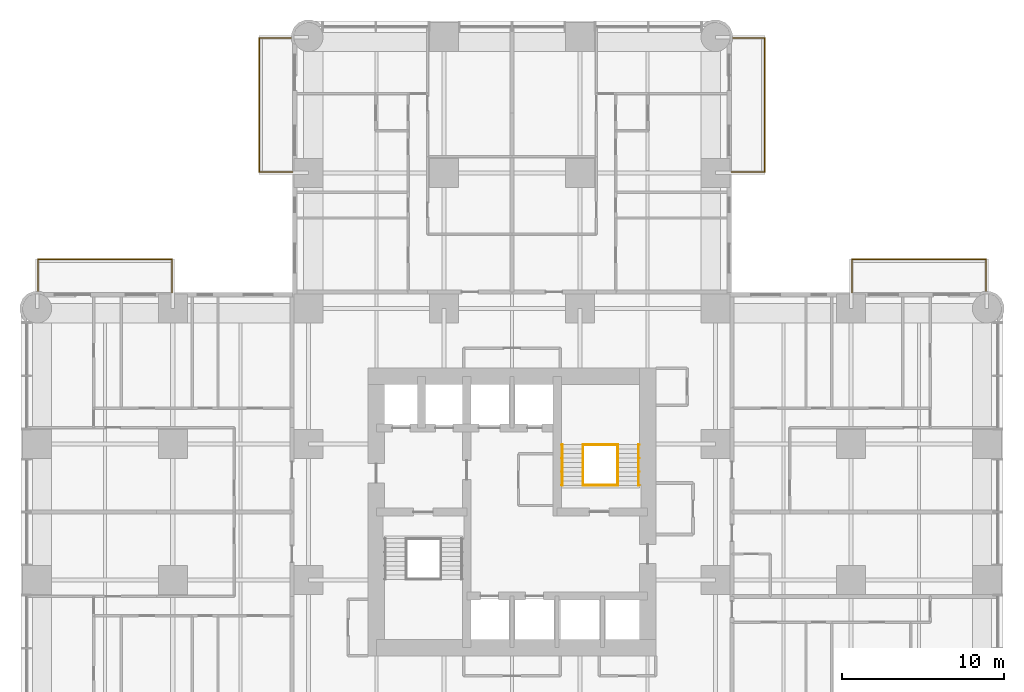
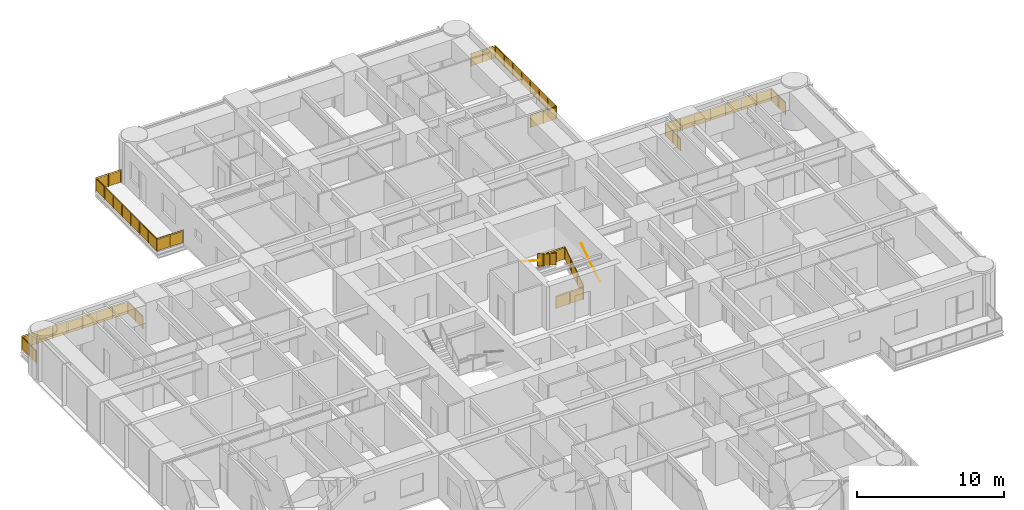
# One storey, part 17 of 17: 10 railings.
"""IFC4 building model written with IfcOpenShell, lengths in metres."""

from ifc_helpers import new_model, si_unit, direction, frame, origin, origin_2d, place, context, subcontext, project, spatial, polyline, circle, outline, extrude, material, constituent, constituent_set, type_object, element, save


model = new_model("IFC4")

# Units and contexts
model_context = context("Model", 3, precision=1e-05, world=origin(), true_north=direction((0.0, 1.0)))
body_context = subcontext(model_context, "Body", "Model", "MODEL_VIEW")
ifc_project = project(units=[si_unit("LENGTHUNIT", "METRE"), si_unit("AREAUNIT", "SQUARE_METRE"), si_unit("VOLUMEUNIT", "CUBIC_METRE"), si_unit("PLANEANGLEUNIT", "RADIAN"), si_unit("MASSUNIT", "GRAM", prefix="KILO")], contexts=[model_context])

# Site, building, storey
site_placement = place(None, origin())
site = spatial("IfcSite", under=ifc_project, at=site_placement, CompositionType="ELEMENT")
building_placement = place(site_placement, origin())
building = spatial("IfcBuilding", under=site, at=building_placement, Name="Torre Alcanfor", CompositionType="ELEMENT")
storey_placement = place(building_placement, frame((0.0, 0.0, 56.10009765625)))
storey = spatial("IfcBuildingStorey", under=building, at=storey_placement, Name="L13", CompositionType="ELEMENT", Elevation=56.10009765625)

# Railings
ifc_material_1 = material(Name="Laminated safety glass", Category="glass")
ifc_constituent_1 = constituent(ifc_material_1, Name="Infill")
ifc_material_2 = material(Name="Stainless steel ASTM A554 Grade MT 316L tube", Category="steel")
ifc_constituent_2 = constituent(ifc_material_2, Name="Posts and rail")
ifc_constituent_set = constituent_set(constituents=[ifc_constituent_1, ifc_constituent_2], Name="Balcony guard glass 1100")
railing_type_1 = type_object("IfcRailingType", Name="Balcony guard glass 1100", PredefinedType="BALUSTRADE", material=ifc_constituent_set)
railing_1_placement = place(storey_placement, frame((15.800048828125, 50.449951171875, 0.0)))
element("IfcRailing", 1, at=railing_1_placement, inside=storey, type_object=railing_type_1, Name="Balcony guard L13-N1", PredefinedType="BALUSTRADE", context=body_context, shape_type="SweptSolid", body=[
    extrude(circle(Radius=0.02392578125, at=origin_2d()), frame((0.0, 0.0, 1.076171875), z_axis=(-1.0, 0.0, 0.0), x_axis=(0.0, -1.0, 0.0)), (0.0, 0.0, 1.0), 2.050048828125),
    extrude(circle(Radius=0.02392578125, at=origin_2d()), frame((-2.050048828125, 0.0, 1.076171875), z_axis=(0.0, 1.0, 0.0), x_axis=(-1.0, 0.0, 0.0)), (0.0, 0.0, 1.0), 8.300048828125),
    extrude(circle(Radius=0.02392578125, at=origin_2d()), frame((-2.050048828125, 8.300048828125, 1.076171875), z_axis=(1.0, 0.0, 0.0), x_axis=(0.0, 1.0, 0.0)), (0.0, 0.0, 1.0), 1.968994140625),
    extrude(circle(Radius=0.02099609375, at=origin_2d()), origin(), (0.0, 0.0, 1.0), 1.052001953125),
    extrude(circle(Radius=0.02099609375, at=origin_2d()), frame((-1.02490234375, 0.0, 0.0)), (0.0, 0.0, 1.0), 1.052001953125),
    extrude(circle(Radius=0.02099609375, at=origin_2d()), frame((-2.050048828125, 0.0, 0.0)), (0.0, 0.0, 1.0), 1.052001953125),
    extrude(circle(Radius=0.02099609375, at=origin_2d()), frame((-2.050048828125, 1.185791015625, 0.0)), (0.0, 0.0, 1.0), 1.052001953125),
    extrude(circle(Radius=0.02099609375, at=origin_2d()), frame((-2.050048828125, 2.371337890625, 0.0)), (0.0, 0.0, 1.0), 1.052001953125),
    extrude(circle(Radius=0.02099609375, at=origin_2d()), frame((-2.050048828125, 3.55712890625, 0.0)), (0.0, 0.0, 1.0), 1.052001953125),
    extrude(circle(Radius=0.02099609375, at=origin_2d()), frame((-2.050048828125, 4.742919921875, 0.0)), (0.0, 0.0, 1.0), 1.052001953125),
    extrude(circle(Radius=0.02099609375, at=origin_2d()), frame((-2.050048828125, 5.9287109375, 0.0)), (0.0, 0.0, 1.0), 1.052001953125),
    extrude(circle(Radius=0.02099609375, at=origin_2d()), frame((-2.050048828125, 7.1142578125, 0.0)), (0.0, 0.0, 1.0), 1.052001953125),
    extrude(circle(Radius=0.02099609375, at=origin_2d()), frame((-2.050048828125, 8.300048828125, 0.0)), (0.0, 0.0, 1.0), 1.052001953125),
    extrude(circle(Radius=0.02099609375, at=origin_2d()), frame((-1.0654296875, 8.300048828125, 0.0)), (0.0, 0.0, 1.0), 1.052001953125),
    extrude(circle(Radius=0.02099609375, at=origin_2d()), frame((-0.0810546875, 8.300048828125, 0.0)), (0.0, 0.0, 1.0), 1.052001953125),
    extrude(outline(polyline([(0.041015625, 0.050048828125), (0.984130859375, 0.050048828125), (0.984130859375, 1.001953125), (0.041015625, 1.001953125), (0.041015625, 0.050048828125)])), frame((0.0, -0.005859375, 0.0), z_axis=(0.0, 1.0, 0.0), x_axis=(-1.0, 0.0, 0.0)), (0.0, 0.0, 1.0), 0.011962890625),
    extrude(outline(polyline([(1.06591796875, 0.050048828125), (2.009033203125, 0.050048828125), (2.009033203125, 1.001953125), (1.06591796875, 1.001953125), (1.06591796875, 0.050048828125)])), frame((0.0, -0.005859375, 0.0), z_axis=(0.0, 1.0, 0.0), x_axis=(-1.0, 0.0, 0.0)), (0.0, 0.0, 1.0), 0.011962890625),
    extrude(outline(polyline([(0.041015625, 0.050048828125), (1.144775390625, 0.050048828125), (1.144775390625, 1.001953125), (0.041015625, 1.001953125), (0.041015625, 0.050048828125)])), frame((-2.05615234375, 0.0, 0.0), z_axis=(1.0, 0.0, 0.0), x_axis=(0.0, 1.0, 0.0)), (0.0, 0.0, 1.0), 0.011962890625),
    extrude(outline(polyline([(1.226806640625, 0.050048828125), (2.330322265625, 0.050048828125), (2.330322265625, 1.001953125), (1.226806640625, 1.001953125), (1.226806640625, 0.050048828125)])), frame((-2.05615234375, 0.0, 0.0), z_axis=(1.0, 0.0, 0.0), x_axis=(0.0, 1.0, 0.0)), (0.0, 0.0, 1.0), 0.011962890625),
    extrude(outline(polyline([(2.412353515625, 0.050048828125), (3.51611328125, 0.050048828125), (3.51611328125, 1.001953125), (2.412353515625, 1.001953125), (2.412353515625, 0.050048828125)])), frame((-2.05615234375, 0.0, 0.0), z_axis=(1.0, 0.0, 0.0), x_axis=(0.0, 1.0, 0.0)), (0.0, 0.0, 1.0), 0.011962890625),
    extrude(outline(polyline([(3.59814453125, 0.050048828125), (4.701904296875, 0.050048828125), (4.701904296875, 1.001953125), (3.59814453125, 1.001953125), (3.59814453125, 0.050048828125)])), frame((-2.05615234375, 0.0, 0.0), z_axis=(1.0, 0.0, 0.0), x_axis=(0.0, 1.0, 0.0)), (0.0, 0.0, 1.0), 0.011962890625),
    extrude(outline(polyline([(4.783935546875, 0.050048828125), (5.8876953125, 0.050048828125), (5.8876953125, 1.001953125), (4.783935546875, 1.001953125), (4.783935546875, 0.050048828125)])), frame((-2.05615234375, 0.0, 0.0), z_axis=(1.0, 0.0, 0.0), x_axis=(0.0, 1.0, 0.0)), (0.0, 0.0, 1.0), 0.011962890625),
    extrude(outline(polyline([(5.9697265625, 0.050048828125), (7.0732421875, 0.050048828125), (7.0732421875, 1.001953125), (5.9697265625, 1.001953125), (5.9697265625, 0.050048828125)])), frame((-2.05615234375, 0.0, 0.0), z_axis=(1.0, 0.0, 0.0), x_axis=(0.0, 1.0, 0.0)), (0.0, 0.0, 1.0), 0.011962890625),
    extrude(outline(polyline([(7.1552734375, 0.050048828125), (8.259033203125, 0.050048828125), (8.259033203125, 1.001953125), (7.1552734375, 1.001953125), (7.1552734375, 0.050048828125)])), frame((-2.05615234375, 0.0, 0.0), z_axis=(1.0, 0.0, 0.0), x_axis=(0.0, 1.0, 0.0)), (0.0, 0.0, 1.0), 0.011962890625),
    extrude(outline(polyline([(0.041015625, 0.050048828125), (0.943603515625, 0.050048828125), (0.943603515625, 1.001953125), (0.041015625, 1.001953125), (0.041015625, 0.050048828125)])), frame((-2.050048828125, 8.30615234375, 0.0), z_axis=(0.0, -1.0, 0.0), x_axis=(1.0, 0.0, 0.0)), (0.0, 0.0, 1.0), 0.011962890625),
    extrude(outline(polyline([(1.025390625, 0.050048828125), (1.927978515625, 0.050048828125), (1.927978515625, 1.001953125), (1.025390625, 1.001953125), (1.025390625, 0.050048828125)])), frame((-2.050048828125, 8.30615234375, 0.0), z_axis=(0.0, -1.0, 0.0), x_axis=(1.0, 0.0, 0.0)), (0.0, 0.0, 1.0), 0.011962890625),
])
railing_2_placement = place(storey_placement, frame((43.0, 50.449951171875, 0.0)))
element("IfcRailing", 2, at=railing_2_placement, inside=storey, type_object=railing_type_1, Name="Balcony guard L13-N2", PredefinedType="BALUSTRADE", context=body_context, shape_type="SweptSolid", body=[
    extrude(circle(Radius=0.02392578125, at=origin_2d()), frame((0.0, 0.0, 1.076171875), z_axis=(1.0, 0.0, 0.0), x_axis=(0.0, 1.0, 0.0)), (0.0, 0.0, 1.0), 2.050048828125),
    extrude(circle(Radius=0.02392578125, at=origin_2d()), frame((2.050048828125, 0.0, 1.076171875), z_axis=(0.0, 1.0, 0.0), x_axis=(-1.0, 0.0, 0.0)), (0.0, 0.0, 1.0), 8.300048828125),
    extrude(circle(Radius=0.02392578125, at=origin_2d()), frame((2.050048828125, 8.300048828125, 1.076171875), z_axis=(-1.0, 0.0, 0.0), x_axis=(0.0, -1.0, 0.0)), (0.0, 0.0, 1.0), 1.968994140625),
    extrude(circle(Radius=0.02099609375, at=origin_2d()), origin(), (0.0, 0.0, 1.0), 1.052001953125),
    extrude(circle(Radius=0.02099609375, at=origin_2d()), frame((1.02490234375, 0.0, 0.0)), (0.0, 0.0, 1.0), 1.052001953125),
    extrude(circle(Radius=0.02099609375, at=origin_2d()), frame((2.050048828125, 0.0, 0.0)), (0.0, 0.0, 1.0), 1.052001953125),
    extrude(circle(Radius=0.02099609375, at=origin_2d()), frame((2.050048828125, 1.185791015625, 0.0)), (0.0, 0.0, 1.0), 1.052001953125),
    extrude(circle(Radius=0.02099609375, at=origin_2d()), frame((2.050048828125, 2.371337890625, 0.0)), (0.0, 0.0, 1.0), 1.052001953125),
    extrude(circle(Radius=0.02099609375, at=origin_2d()), frame((2.050048828125, 3.55712890625, 0.0)), (0.0, 0.0, 1.0), 1.052001953125),
    extrude(circle(Radius=0.02099609375, at=origin_2d()), frame((2.050048828125, 4.742919921875, 0.0)), (0.0, 0.0, 1.0), 1.052001953125),
    extrude(circle(Radius=0.02099609375, at=origin_2d()), frame((2.050048828125, 5.9287109375, 0.0)), (0.0, 0.0, 1.0), 1.052001953125),
    extrude(circle(Radius=0.02099609375, at=origin_2d()), frame((2.050048828125, 7.1142578125, 0.0)), (0.0, 0.0, 1.0), 1.052001953125),
    extrude(circle(Radius=0.02099609375, at=origin_2d()), frame((2.050048828125, 8.300048828125, 0.0)), (0.0, 0.0, 1.0), 1.052001953125),
    extrude(circle(Radius=0.02099609375, at=origin_2d()), frame((1.0654296875, 8.300048828125, 0.0)), (0.0, 0.0, 1.0), 1.052001953125),
    extrude(circle(Radius=0.02099609375, at=origin_2d()), frame((0.0810546875, 8.300048828125, 0.0)), (0.0, 0.0, 1.0), 1.052001953125),
    extrude(outline(polyline([(0.041015625, 0.050048828125), (0.984130859375, 0.050048828125), (0.984130859375, 1.001953125), (0.041015625, 1.001953125), (0.041015625, 0.050048828125)])), frame((0.0, 0.005859375, 0.0), z_axis=(0.0, -1.0, 0.0), x_axis=(1.0, 0.0, 0.0)), (0.0, 0.0, 1.0), 0.011962890625),
    extrude(outline(polyline([(1.06591796875, 0.050048828125), (2.009033203125, 0.050048828125), (2.009033203125, 1.001953125), (1.06591796875, 1.001953125), (1.06591796875, 0.050048828125)])), frame((0.0, 0.005859375, 0.0), z_axis=(0.0, -1.0, 0.0), x_axis=(1.0, 0.0, 0.0)), (0.0, 0.0, 1.0), 0.011962890625),
    extrude(outline(polyline([(0.041015625, 0.050048828125), (1.144775390625, 0.050048828125), (1.144775390625, 1.001953125), (0.041015625, 1.001953125), (0.041015625, 0.050048828125)])), frame((2.0439453125, 0.0, 0.0), z_axis=(1.0, 0.0, 0.0), x_axis=(0.0, 1.0, 0.0)), (0.0, 0.0, 1.0), 0.011962890625),
    extrude(outline(polyline([(1.226806640625, 0.050048828125), (2.330322265625, 0.050048828125), (2.330322265625, 1.001953125), (1.226806640625, 1.001953125), (1.226806640625, 0.050048828125)])), frame((2.0439453125, 0.0, 0.0), z_axis=(1.0, 0.0, 0.0), x_axis=(0.0, 1.0, 0.0)), (0.0, 0.0, 1.0), 0.011962890625),
    extrude(outline(polyline([(2.412353515625, 0.050048828125), (3.51611328125, 0.050048828125), (3.51611328125, 1.001953125), (2.412353515625, 1.001953125), (2.412353515625, 0.050048828125)])), frame((2.0439453125, 0.0, 0.0), z_axis=(1.0, 0.0, 0.0), x_axis=(0.0, 1.0, 0.0)), (0.0, 0.0, 1.0), 0.011962890625),
    extrude(outline(polyline([(3.59814453125, 0.050048828125), (4.701904296875, 0.050048828125), (4.701904296875, 1.001953125), (3.59814453125, 1.001953125), (3.59814453125, 0.050048828125)])), frame((2.0439453125, 0.0, 0.0), z_axis=(1.0, 0.0, 0.0), x_axis=(0.0, 1.0, 0.0)), (0.0, 0.0, 1.0), 0.011962890625),
    extrude(outline(polyline([(4.783935546875, 0.050048828125), (5.8876953125, 0.050048828125), (5.8876953125, 1.001953125), (4.783935546875, 1.001953125), (4.783935546875, 0.050048828125)])), frame((2.0439453125, 0.0, 0.0), z_axis=(1.0, 0.0, 0.0), x_axis=(0.0, 1.0, 0.0)), (0.0, 0.0, 1.0), 0.011962890625),
    extrude(outline(polyline([(5.9697265625, 0.050048828125), (7.0732421875, 0.050048828125), (7.0732421875, 1.001953125), (5.9697265625, 1.001953125), (5.9697265625, 0.050048828125)])), frame((2.0439453125, 0.0, 0.0), z_axis=(1.0, 0.0, 0.0), x_axis=(0.0, 1.0, 0.0)), (0.0, 0.0, 1.0), 0.011962890625),
    extrude(outline(polyline([(7.1552734375, 0.050048828125), (8.259033203125, 0.050048828125), (8.259033203125, 1.001953125), (7.1552734375, 1.001953125), (7.1552734375, 0.050048828125)])), frame((2.0439453125, 0.0, 0.0), z_axis=(1.0, 0.0, 0.0), x_axis=(0.0, 1.0, 0.0)), (0.0, 0.0, 1.0), 0.011962890625),
    extrude(outline(polyline([(0.041015625, 0.050048828125), (0.943603515625, 0.050048828125), (0.943603515625, 1.001953125), (0.041015625, 1.001953125), (0.041015625, 0.050048828125)])), frame((2.050048828125, 8.2939453125, 0.0), z_axis=(0.0, 1.0, 0.0), x_axis=(-1.0, 0.0, 0.0)), (0.0, 0.0, 1.0), 0.011962890625),
    extrude(outline(polyline([(1.025390625, 0.050048828125), (1.927978515625, 0.050048828125), (1.927978515625, 1.001953125), (1.025390625, 1.001953125), (1.025390625, 0.050048828125)])), frame((2.050048828125, 8.2939453125, 0.0), z_axis=(0.0, 1.0, 0.0), x_axis=(-1.0, 0.0, 0.0)), (0.0, 0.0, 1.0), 0.011962890625),
])
railing_3_placement = place(storey_placement, frame((50.449951171875, 43.0, 0.0)))
element("IfcRailing", 3, at=railing_3_placement, inside=storey, type_object=railing_type_1, Name="Balcony guard L13-E1", PredefinedType="BALUSTRADE", context=body_context, shape_type="SweptSolid", body=[
    extrude(circle(Radius=0.02392578125, at=origin_2d()), frame((0.0, 0.0, 1.076171875), z_axis=(0.0, 1.0, 0.0), x_axis=(-1.0, 0.0, 0.0)), (0.0, 0.0, 1.0), 2.050048828125),
    extrude(circle(Radius=0.02392578125, at=origin_2d()), frame((0.0, 2.050048828125, 1.076171875), z_axis=(1.0, 0.0, 0.0), x_axis=(0.0, 1.0, 0.0)), (0.0, 0.0, 1.0), 8.300048828125),
    extrude(circle(Radius=0.02392578125, at=origin_2d()), frame((8.300048828125, 2.050048828125, 1.076171875), z_axis=(0.0, -1.0, 0.0), x_axis=(1.0, 0.0, 0.0)), (0.0, 0.0, 1.0), 1.968994140625),
    extrude(circle(Radius=0.02099609375, at=origin_2d()), origin(), (0.0, 0.0, 1.0), 1.052001953125),
    extrude(circle(Radius=0.02099609375, at=origin_2d()), frame((0.0, 1.02490234375, 0.0)), (0.0, 0.0, 1.0), 1.052001953125),
    extrude(circle(Radius=0.02099609375, at=origin_2d()), frame((0.0, 2.050048828125, 0.0)), (0.0, 0.0, 1.0), 1.052001953125),
    extrude(circle(Radius=0.02099609375, at=origin_2d()), frame((1.185791015625, 2.050048828125, 0.0)), (0.0, 0.0, 1.0), 1.052001953125),
    extrude(circle(Radius=0.02099609375, at=origin_2d()), frame((2.371337890625, 2.050048828125, 0.0)), (0.0, 0.0, 1.0), 1.052001953125),
    extrude(circle(Radius=0.02099609375, at=origin_2d()), frame((3.55712890625, 2.050048828125, 0.0)), (0.0, 0.0, 1.0), 1.052001953125),
    extrude(circle(Radius=0.02099609375, at=origin_2d()), frame((4.742919921875, 2.050048828125, 0.0)), (0.0, 0.0, 1.0), 1.052001953125),
    extrude(circle(Radius=0.02099609375, at=origin_2d()), frame((5.9287109375, 2.050048828125, 0.0)), (0.0, 0.0, 1.0), 1.052001953125),
    extrude(circle(Radius=0.02099609375, at=origin_2d()), frame((7.1142578125, 2.050048828125, 0.0)), (0.0, 0.0, 1.0), 1.052001953125),
    extrude(circle(Radius=0.02099609375, at=origin_2d()), frame((8.300048828125, 2.050048828125, 0.0)), (0.0, 0.0, 1.0), 1.052001953125),
    extrude(circle(Radius=0.02099609375, at=origin_2d()), frame((8.300048828125, 1.0654296875, 0.0)), (0.0, 0.0, 1.0), 1.052001953125),
    extrude(circle(Radius=0.02099609375, at=origin_2d()), frame((8.300048828125, 0.0810546875, 0.0)), (0.0, 0.0, 1.0), 1.052001953125),
    extrude(outline(polyline([(0.041015625, 0.050048828125), (0.984130859375, 0.050048828125), (0.984130859375, 1.001953125), (0.041015625, 1.001953125), (0.041015625, 0.050048828125)])), frame((-0.005859375, 0.0, 0.0), z_axis=(1.0, 0.0, 0.0), x_axis=(0.0, 1.0, 0.0)), (0.0, 0.0, 1.0), 0.011962890625),
    extrude(outline(polyline([(1.06591796875, 0.050048828125), (2.009033203125, 0.050048828125), (2.009033203125, 1.001953125), (1.06591796875, 1.001953125), (1.06591796875, 0.050048828125)])), frame((-0.005859375, 0.0, 0.0), z_axis=(1.0, 0.0, 0.0), x_axis=(0.0, 1.0, 0.0)), (0.0, 0.0, 1.0), 0.011962890625),
    extrude(outline(polyline([(0.041015625, 0.050048828125), (1.144775390625, 0.050048828125), (1.144775390625, 1.001953125), (0.041015625, 1.001953125), (0.041015625, 0.050048828125)])), frame((0.0, 2.05615234375, 0.0), z_axis=(0.0, -1.0, 0.0), x_axis=(1.0, 0.0, 0.0)), (0.0, 0.0, 1.0), 0.011962890625),
    extrude(outline(polyline([(1.226806640625, 0.050048828125), (2.330322265625, 0.050048828125), (2.330322265625, 1.001953125), (1.226806640625, 1.001953125), (1.226806640625, 0.050048828125)])), frame((0.0, 2.05615234375, 0.0), z_axis=(0.0, -1.0, 0.0), x_axis=(1.0, 0.0, 0.0)), (0.0, 0.0, 1.0), 0.011962890625),
    extrude(outline(polyline([(2.412353515625, 0.050048828125), (3.51611328125, 0.050048828125), (3.51611328125, 1.001953125), (2.412353515625, 1.001953125), (2.412353515625, 0.050048828125)])), frame((0.0, 2.05615234375, 0.0), z_axis=(0.0, -1.0, 0.0), x_axis=(1.0, 0.0, 0.0)), (0.0, 0.0, 1.0), 0.011962890625),
    extrude(outline(polyline([(3.59814453125, 0.050048828125), (4.701904296875, 0.050048828125), (4.701904296875, 1.001953125), (3.59814453125, 1.001953125), (3.59814453125, 0.050048828125)])), frame((0.0, 2.05615234375, 0.0), z_axis=(0.0, -1.0, 0.0), x_axis=(1.0, 0.0, 0.0)), (0.0, 0.0, 1.0), 0.011962890625),
    extrude(outline(polyline([(4.783935546875, 0.050048828125), (5.8876953125, 0.050048828125), (5.8876953125, 1.001953125), (4.783935546875, 1.001953125), (4.783935546875, 0.050048828125)])), frame((0.0, 2.05615234375, 0.0), z_axis=(0.0, -1.0, 0.0), x_axis=(1.0, 0.0, 0.0)), (0.0, 0.0, 1.0), 0.011962890625),
    extrude(outline(polyline([(5.9697265625, 0.050048828125), (7.0732421875, 0.050048828125), (7.0732421875, 1.001953125), (5.9697265625, 1.001953125), (5.9697265625, 0.050048828125)])), frame((0.0, 2.05615234375, 0.0), z_axis=(0.0, -1.0, 0.0), x_axis=(1.0, 0.0, 0.0)), (0.0, 0.0, 1.0), 0.011962890625),
    extrude(outline(polyline([(7.1552734375, 0.050048828125), (8.259033203125, 0.050048828125), (8.259033203125, 1.001953125), (7.1552734375, 1.001953125), (7.1552734375, 0.050048828125)])), frame((0.0, 2.05615234375, 0.0), z_axis=(0.0, -1.0, 0.0), x_axis=(1.0, 0.0, 0.0)), (0.0, 0.0, 1.0), 0.011962890625),
    extrude(outline(polyline([(0.041015625, 0.050048828125), (0.943603515625, 0.050048828125), (0.943603515625, 1.001953125), (0.041015625, 1.001953125), (0.041015625, 0.050048828125)])), frame((8.30615234375, 2.050048828125, 0.0), z_axis=(-1.0, 0.0, 0.0), x_axis=(0.0, -1.0, 0.0)), (0.0, 0.0, 1.0), 0.011962890625),
    extrude(outline(polyline([(1.025390625, 0.050048828125), (1.927978515625, 0.050048828125), (1.927978515625, 1.001953125), (1.025390625, 1.001953125), (1.025390625, 0.050048828125)])), frame((8.30615234375, 2.050048828125, 0.0), z_axis=(-1.0, 0.0, 0.0), x_axis=(0.0, -1.0, 0.0)), (0.0, 0.0, 1.0), 0.011962890625),
])
railing_4_placement = place(storey_placement, frame((8.35009765625, 43.0, 0.0)))
element("IfcRailing", 4, at=railing_4_placement, inside=storey, type_object=railing_type_1, Name="Balcony guard L13-W2", PredefinedType="BALUSTRADE", context=body_context, shape_type="SweptSolid", body=[
    extrude(circle(Radius=0.02392578125, at=origin_2d()), frame((0.0, 0.0, 1.076171875), z_axis=(0.0, 1.0, 0.0), x_axis=(-1.0, 0.0, 0.0)), (0.0, 0.0, 1.0), 2.050048828125),
    extrude(circle(Radius=0.02392578125, at=origin_2d()), frame((0.0, 2.050048828125, 1.076171875), z_axis=(-1.0, 0.0, 0.0), x_axis=(0.0, -1.0, 0.0)), (0.0, 0.0, 1.0), 8.300048828125),
    extrude(circle(Radius=0.02392578125, at=origin_2d()), frame((-8.300048828125, 2.050048828125, 1.076171875), z_axis=(0.0, -1.0, 0.0), x_axis=(1.0, 0.0, 0.0)), (0.0, 0.0, 1.0), 1.968994140625),
    extrude(circle(Radius=0.02099609375, at=origin_2d()), origin(), (0.0, 0.0, 1.0), 1.052001953125),
    extrude(circle(Radius=0.02099609375, at=origin_2d()), frame((0.0, 1.02490234375, 0.0)), (0.0, 0.0, 1.0), 1.052001953125),
    extrude(circle(Radius=0.02099609375, at=origin_2d()), frame((0.0, 2.050048828125, 0.0)), (0.0, 0.0, 1.0), 1.052001953125),
    extrude(circle(Radius=0.02099609375, at=origin_2d()), frame((-1.185791015625, 2.050048828125, 0.0)), (0.0, 0.0, 1.0), 1.052001953125),
    extrude(circle(Radius=0.02099609375, at=origin_2d()), frame((-2.371337890625, 2.050048828125, 0.0)), (0.0, 0.0, 1.0), 1.052001953125),
    extrude(circle(Radius=0.02099609375, at=origin_2d()), frame((-3.55712890625, 2.050048828125, 0.0)), (0.0, 0.0, 1.0), 1.052001953125),
    extrude(circle(Radius=0.02099609375, at=origin_2d()), frame((-4.742919921875, 2.050048828125, 0.0)), (0.0, 0.0, 1.0), 1.052001953125),
    extrude(circle(Radius=0.02099609375, at=origin_2d()), frame((-5.9287109375, 2.050048828125, 0.0)), (0.0, 0.0, 1.0), 1.052001953125),
    extrude(circle(Radius=0.02099609375, at=origin_2d()), frame((-7.1142578125, 2.050048828125, 0.0)), (0.0, 0.0, 1.0), 1.052001953125),
    extrude(circle(Radius=0.02099609375, at=origin_2d()), frame((-8.300048828125, 2.050048828125, 0.0)), (0.0, 0.0, 1.0), 1.052001953125),
    extrude(circle(Radius=0.02099609375, at=origin_2d()), frame((-8.300048828125, 1.0654296875, 0.0)), (0.0, 0.0, 1.0), 1.052001953125),
    extrude(circle(Radius=0.02099609375, at=origin_2d()), frame((-8.300048828125, 0.0810546875, 0.0)), (0.0, 0.0, 1.0), 1.052001953125),
    extrude(outline(polyline([(0.041015625, 0.050048828125), (0.984130859375, 0.050048828125), (0.984130859375, 1.001953125), (0.041015625, 1.001953125), (0.041015625, 0.050048828125)])), frame((-0.005859375, 0.0, 0.0), z_axis=(1.0, 0.0, 0.0), x_axis=(0.0, 1.0, 0.0)), (0.0, 0.0, 1.0), 0.011962890625),
    extrude(outline(polyline([(1.06591796875, 0.050048828125), (2.009033203125, 0.050048828125), (2.009033203125, 1.001953125), (1.06591796875, 1.001953125), (1.06591796875, 0.050048828125)])), frame((-0.005859375, 0.0, 0.0), z_axis=(1.0, 0.0, 0.0), x_axis=(0.0, 1.0, 0.0)), (0.0, 0.0, 1.0), 0.011962890625),
    extrude(outline(polyline([(0.041015625, 0.050048828125), (1.144775390625, 0.050048828125), (1.144775390625, 1.001953125), (0.041015625, 1.001953125), (0.041015625, 0.050048828125)])), frame((0.0, 2.0439453125, 0.0), z_axis=(0.0, 1.0, 0.0), x_axis=(-1.0, 0.0, 0.0)), (0.0, 0.0, 1.0), 0.011962890625),
    extrude(outline(polyline([(1.226806640625, 0.050048828125), (2.330322265625, 0.050048828125), (2.330322265625, 1.001953125), (1.226806640625, 1.001953125), (1.226806640625, 0.050048828125)])), frame((0.0, 2.0439453125, 0.0), z_axis=(0.0, 1.0, 0.0), x_axis=(-1.0, 0.0, 0.0)), (0.0, 0.0, 1.0), 0.011962890625),
    extrude(outline(polyline([(2.412353515625, 0.050048828125), (3.51611328125, 0.050048828125), (3.51611328125, 1.001953125), (2.412353515625, 1.001953125), (2.412353515625, 0.050048828125)])), frame((0.0, 2.0439453125, 0.0), z_axis=(0.0, 1.0, 0.0), x_axis=(-1.0, 0.0, 0.0)), (0.0, 0.0, 1.0), 0.011962890625),
    extrude(outline(polyline([(3.59814453125, 0.050048828125), (4.701904296875, 0.050048828125), (4.701904296875, 1.001953125), (3.59814453125, 1.001953125), (3.59814453125, 0.050048828125)])), frame((0.0, 2.0439453125, 0.0), z_axis=(0.0, 1.0, 0.0), x_axis=(-1.0, 0.0, 0.0)), (0.0, 0.0, 1.0), 0.011962890625),
    extrude(outline(polyline([(4.783935546875, 0.050048828125), (5.8876953125, 0.050048828125), (5.8876953125, 1.001953125), (4.783935546875, 1.001953125), (4.783935546875, 0.050048828125)])), frame((0.0, 2.0439453125, 0.0), z_axis=(0.0, 1.0, 0.0), x_axis=(-1.0, 0.0, 0.0)), (0.0, 0.0, 1.0), 0.011962890625),
    extrude(outline(polyline([(5.9697265625, 0.050048828125), (7.0732421875, 0.050048828125), (7.0732421875, 1.001953125), (5.9697265625, 1.001953125), (5.9697265625, 0.050048828125)])), frame((0.0, 2.0439453125, 0.0), z_axis=(0.0, 1.0, 0.0), x_axis=(-1.0, 0.0, 0.0)), (0.0, 0.0, 1.0), 0.011962890625),
    extrude(outline(polyline([(7.1552734375, 0.050048828125), (8.259033203125, 0.050048828125), (8.259033203125, 1.001953125), (7.1552734375, 1.001953125), (7.1552734375, 0.050048828125)])), frame((0.0, 2.0439453125, 0.0), z_axis=(0.0, 1.0, 0.0), x_axis=(-1.0, 0.0, 0.0)), (0.0, 0.0, 1.0), 0.011962890625),
    extrude(outline(polyline([(0.041015625, 0.050048828125), (0.943603515625, 0.050048828125), (0.943603515625, 1.001953125), (0.041015625, 1.001953125), (0.041015625, 0.050048828125)])), frame((-8.2939453125, 2.050048828125, 0.0), z_axis=(-1.0, 0.0, 0.0), x_axis=(0.0, -1.0, 0.0)), (0.0, 0.0, 1.0), 0.011962890625),
    extrude(outline(polyline([(1.025390625, 0.050048828125), (1.927978515625, 0.050048828125), (1.927978515625, 1.001953125), (1.025390625, 1.001953125), (1.025390625, 0.050048828125)])), frame((-8.2939453125, 2.050048828125, 0.0), z_axis=(-1.0, 0.0, 0.0), x_axis=(0.0, -1.0, 0.0)), (0.0, 0.0, 1.0), 0.011962890625),
])
ifc_material_3 = material(Name="Steel ASTM A500 Grade C hollow sections", Category="steel")
railing_type_2 = type_object("IfcRailingType", Name="Stair guard and handrail 1100", PredefinedType="GUARDRAIL", material=ifc_material_3)
railing_5_placement = place(storey_placement, frame((35.949951171875, 31.050048828125, 0.179931640625)))
element("IfcRailing", 5, at=railing_5_placement, inside=storey, type_object=railing_type_2, Name="Stair guard S2 L13 flight 1", PredefinedType="GUARDRAIL", context=body_context, shape_type="SweptSolid", body=[
    extrude(circle(Radius=0.02392578125, at=origin_2d()), frame((0.0, 0.0, 1.076171875), z_axis=(0.0, 0.841199657755, 0.540724639528), x_axis=(-1.0, 0.0, 0.0)), (0.0, 0.0, 1.0), 2.995849609375),
    extrude(circle(Radius=0.02099609375, at=origin_2d()), origin(), (0.0, 0.0, 1.0), 1.052001953125),
    extrude(circle(Radius=0.02099609375, at=origin_2d()), frame((0.0, 0.840087890625, 0.5400390625)), (0.0, 0.0, 1.0), 1.052001953125),
    extrude(circle(Radius=0.02099609375, at=origin_2d()), frame((0.0, 1.679931640625, 1.079833984375)), (0.0, 0.0, 1.0), 1.052001953125),
    extrude(circle(Radius=0.02099609375, at=origin_2d()), frame((0.0, 2.52001953125, 1.619873046875)), (0.0, 0.0, 1.0), 1.052001953125),
    extrude(outline(polyline([(0.041015625, 0.076416015625), (0.799072265625, 0.563720703125), (0.799072265625, 1.515625), (0.041015625, 1.0283203125), (0.041015625, 0.076416015625)])), frame((-0.005859375, 0.0, 0.0), z_axis=(1.0, 0.0, 0.0), x_axis=(0.0, 1.0, 0.0)), (0.0, 0.0, 1.0), 0.011962890625),
    extrude(outline(polyline([(0.881103515625, 0.6162109375), (1.638916015625, 1.103515625), (1.638916015625, 2.0556640625), (0.881103515625, 1.568359375), (0.881103515625, 0.6162109375)])), frame((-0.005859375, 0.0, 0.0), z_axis=(1.0, 0.0, 0.0), x_axis=(0.0, 1.0, 0.0)), (0.0, 0.0, 1.0), 0.011962890625),
    extrude(outline(polyline([(1.720947265625, 1.15625), (2.47900390625, 1.6435546875), (2.47900390625, 2.595458984375), (1.720947265625, 2.108154296875), (1.720947265625, 1.15625)])), frame((-0.005859375, 0.0, 0.0), z_axis=(1.0, 0.0, 0.0), x_axis=(0.0, 1.0, 0.0)), (0.0, 0.0, 1.0), 0.011962890625),
])
railing_6_placement = place(storey_placement, frame((33.800048828125, 33.570068359375, 1.97998046875)))
element("IfcRailing", 6, at=railing_6_placement, inside=storey, type_object=railing_type_2, Name="Stair guard S2 L13 flight 2", PredefinedType="GUARDRAIL", context=body_context, shape_type="SweptSolid", body=[
    extrude(circle(Radius=0.02392578125, at=origin_2d()), frame((0.0, 0.0, 1.076171875), z_axis=(0.0, -0.841199657755, 0.540724639528), x_axis=(1.0, 0.0, 0.0)), (0.0, 0.0, 1.0), 2.995849609375),
    extrude(circle(Radius=0.02099609375, at=origin_2d()), origin(), (0.0, 0.0, 1.0), 1.052001953125),
    extrude(circle(Radius=0.02099609375, at=origin_2d()), frame((0.0, -0.840087890625, 0.5400390625)), (0.0, 0.0, 1.0), 1.052001953125),
    extrude(circle(Radius=0.02099609375, at=origin_2d()), frame((0.0, -1.679931640625, 1.079833984375)), (0.0, 0.0, 1.0), 1.052001953125),
    extrude(circle(Radius=0.02099609375, at=origin_2d()), frame((0.0, -2.52001953125, 1.619873046875)), (0.0, 0.0, 1.0), 1.052001953125),
    extrude(outline(polyline([(0.041015625, 0.076416015625), (0.799072265625, 0.563720703125), (0.799072265625, 1.515625), (0.041015625, 1.0283203125), (0.041015625, 0.076416015625)])), frame((0.005859375, 0.0, 0.0), z_axis=(-1.0, 0.0, 0.0), x_axis=(0.0, -1.0, 0.0)), (0.0, 0.0, 1.0), 0.011962890625),
    extrude(outline(polyline([(0.881103515625, 0.6162109375), (1.638916015625, 1.103515625), (1.638916015625, 2.0556640625), (0.881103515625, 1.568359375), (0.881103515625, 0.6162109375)])), frame((0.005859375, 0.0, 0.0), z_axis=(-1.0, 0.0, 0.0), x_axis=(0.0, -1.0, 0.0)), (0.0, 0.0, 1.0), 0.011962890625),
    extrude(outline(polyline([(1.720947265625, 1.15625), (2.47900390625, 1.6435546875), (2.47900390625, 2.595458984375), (1.720947265625, 2.108154296875), (1.720947265625, 1.15625)])), frame((0.005859375, 0.0, 0.0), z_axis=(-1.0, 0.0, 0.0), x_axis=(0.0, -1.0, 0.0)), (0.0, 0.0, 1.0), 0.011962890625),
])
for number, where, name in (
    (7, (33.800048828125, 31.050048828125, 0.0), "Stair well guard S2 L13 floor landing"),
    (8, (33.800048828125, 33.570068359375, 1.7998046875), "Stair well guard S2 L13 half landing"),
):
    element("IfcRailing", number, at=place(storey_placement, frame(where)), inside=storey, type_object=railing_type_2, Name=name, PredefinedType="GUARDRAIL", context=body_context, shape_type="SweptSolid", body=[
        extrude(circle(Radius=0.02392578125, at=origin_2d()), frame((0.0, 0.0, 1.076171875), z_axis=(1.0, 0.0, 0.0), x_axis=(0.0, 1.0, 0.0)), (0.0, 0.0, 1.0), 2.14990234375),
        extrude(circle(Radius=0.02099609375, at=origin_2d()), origin(), (0.0, 0.0, 1.0), 1.052001953125),
        extrude(circle(Radius=0.02099609375, at=origin_2d()), frame((1.074951171875, 0.0, 0.0)), (0.0, 0.0, 1.0), 1.052001953125),
        extrude(circle(Radius=0.02099609375, at=origin_2d()), frame((2.14990234375, 0.0, 0.0)), (0.0, 0.0, 1.0), 1.052001953125),
        extrude(outline(polyline([(0.041015625, 0.050048828125), (1.033935546875, 0.050048828125), (1.033935546875, 1.001953125), (0.041015625, 1.001953125), (0.041015625, 0.050048828125)])), frame((0.0, 0.005859375, 0.0), z_axis=(0.0, -1.0, 0.0), x_axis=(1.0, 0.0, 0.0)), (0.0, 0.0, 1.0), 0.011962890625),
        extrude(outline(polyline([(1.115966796875, 0.050048828125), (2.10888671875, 0.050048828125), (2.10888671875, 1.001953125), (1.115966796875, 1.001953125), (1.115966796875, 0.050048828125)])), frame((0.0, 0.005859375, 0.0), z_axis=(0.0, -1.0, 0.0), x_axis=(1.0, 0.0, 0.0)), (0.0, 0.0, 1.0), 0.011962890625),
    ])
ifc_material_4 = material(Name="Steel ASTM A500 Grade C hollow sections", Category="steel")
railing_type_3 = type_object("IfcRailingType", Name="Stair wall handrail 900", PredefinedType="HANDRAIL", material=ifc_material_4)
railing_7_placement = place(storey_placement, frame((37.235107421875, 31.050048828125, 0.179931640625)))
element("IfcRailing", 9, at=railing_7_placement, inside=storey, type_object=railing_type_3, Name="Stair handrail S2 L13 flight 1", PredefinedType="HANDRAIL", context=body_context, shape_type="SweptSolid", body=[
    extrude(circle(Radius=0.02392578125, at=origin_2d()), frame((0.0, 0.0, 0.8759765625), z_axis=(0.0, 0.841199657755, 0.540724639528), x_axis=(-1.0, 0.0, 0.0)), (0.0, 0.0, 1.0), 2.995849609375),
    extrude(circle(Radius=0.008056640625, at=origin_2d()), frame((0.0, 0.0, 0.8759765625), z_axis=(1.0, 0.0, 0.0), x_axis=(0.0, 0.0, 1.0)), (0.0, 0.0, 1.0), 0.06494140625),
    extrude(circle(Radius=0.008056640625, at=origin_2d()), frame((0.0, 0.840087890625, 1.415771484375), z_axis=(1.0, 0.0, 0.0), x_axis=(0.0, 0.0, 1.0)), (0.0, 0.0, 1.0), 0.06494140625),
    extrude(circle(Radius=0.008056640625, at=origin_2d()), frame((0.0, 1.679931640625, 1.955810546875), z_axis=(1.0, 0.0, 0.0), x_axis=(0.0, 0.0, 1.0)), (0.0, 0.0, 1.0), 0.06494140625),
    extrude(circle(Radius=0.008056640625, at=origin_2d()), frame((0.0, 2.52001953125, 2.49560546875), z_axis=(1.0, 0.0, 0.0), x_axis=(0.0, 0.0, 1.0)), (0.0, 0.0, 1.0), 0.06494140625),
])
railing_8_placement = place(storey_placement, frame((32.514892578125, 33.570068359375, 1.97998046875)))
element("IfcRailing", 10, at=railing_8_placement, inside=storey, type_object=railing_type_3, Name="Stair handrail S2 L13 flight 2", PredefinedType="HANDRAIL", context=body_context, shape_type="SweptSolid", body=[
    extrude(circle(Radius=0.02392578125, at=origin_2d()), frame((0.0, 0.0, 0.8759765625), z_axis=(0.0, -0.841199657755, 0.540724639528), x_axis=(1.0, 0.0, 0.0)), (0.0, 0.0, 1.0), 2.995849609375),
    extrude(circle(Radius=0.008056640625, at=origin_2d()), frame((0.0, 0.0, 0.8759765625), z_axis=(-1.0, 0.0, 0.0), x_axis=(0.0, 0.0, 1.0)), (0.0, 0.0, 1.0), 0.06494140625),
    extrude(circle(Radius=0.008056640625, at=origin_2d()), frame((0.0, -0.840087890625, 1.415771484375), z_axis=(-1.0, 0.0, 0.0), x_axis=(0.0, 0.0, 1.0)), (0.0, 0.0, 1.0), 0.06494140625),
    extrude(circle(Radius=0.008056640625, at=origin_2d()), frame((0.0, -1.679931640625, 1.955810546875), z_axis=(-1.0, 0.0, 0.0), x_axis=(0.0, 0.0, 1.0)), (0.0, 0.0, 1.0), 0.06494140625),
    extrude(circle(Radius=0.008056640625, at=origin_2d()), frame((0.0, -2.52001953125, 2.49560546875), z_axis=(-1.0, 0.0, 0.0), x_axis=(0.0, 0.0, 1.0)), (0.0, 0.0, 1.0), 0.06494140625),
])

save(model, "model.ifc")
